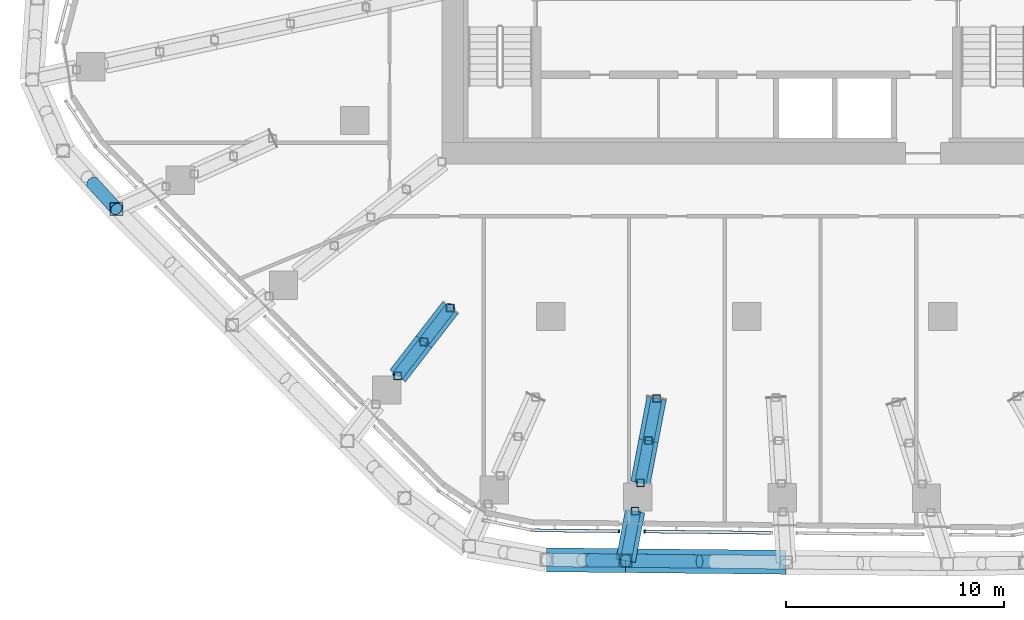
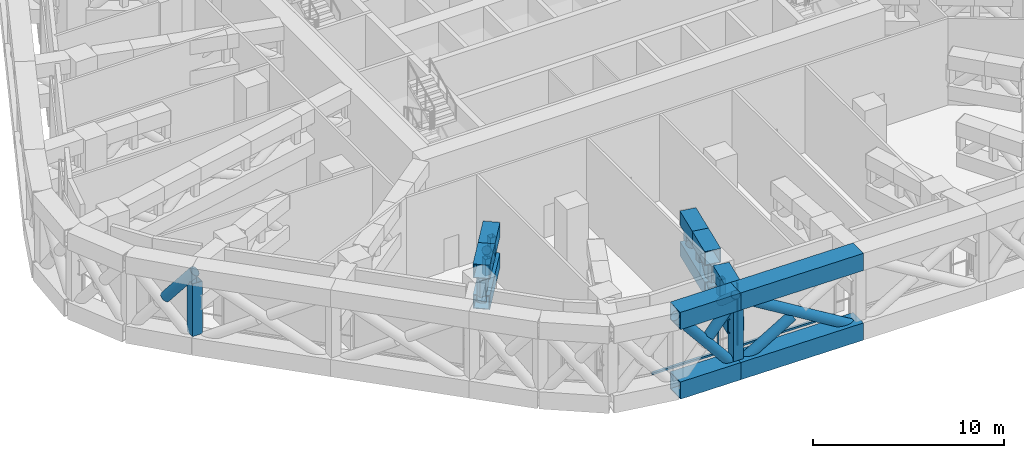
# One storey, part 3 of 30: 35 members, 1 element without a shape of its own.
"""IFC4 building model written with IfcOpenShell, lengths in metres."""

from ifc_helpers import new_model, si_unit, direction, frame, origin, origin_2d, place, context, subcontext, project, spatial, rectangle, hollow_rectangle, hollow_circle, extrude, material, layer, layer_set, material_profile, profile_set, type_object, element, aggregate, save


model = new_model("IFC4")

# Units and contexts
model_context = context("Model", 3, precision=1e-05, world=origin(), true_north=direction((0.0, 1.0)))
body_context = subcontext(model_context, "Body", "Model", "MODEL_VIEW")
ifc_project = project(units=[si_unit("LENGTHUNIT", "METRE"), si_unit("AREAUNIT", "SQUARE_METRE"), si_unit("VOLUMEUNIT", "CUBIC_METRE"), si_unit("PLANEANGLEUNIT", "RADIAN"), si_unit("MASSUNIT", "GRAM", prefix="KILO")], contexts=[model_context])

# Site, building, storey
site_placement = place(None, origin())
site = spatial("IfcSite", under=ifc_project, at=site_placement, CompositionType="ELEMENT")
building_placement = place(site_placement, origin())
building = spatial("IfcBuilding", under=site, at=building_placement, Name="Dongbaek Canopy Tower", CompositionType="ELEMENT")
storey_placement = place(building_placement, frame((0.0, 0.0, 145.60009765625)))
storey = spatial("IfcBuildingStorey", under=building, at=storey_placement, Name="L32", CompositionType="ELEMENT", Elevation=145.60009765625)

# Members
ifc_material_1 = material(Name="Steel S355", Category="steel")
ifc_material_profile_1 = material_profile(ifc_material_1, hollow_circle(Radius=0.304931640625, WallThickness=0.01611328125, at=origin_2d()), Name="BELT BRACE CHS 610.0x16.0 Steel S355")
ifc_profile_set_1 = profile_set([ifc_material_profile_1], Name="Steel S355")
member_type_1 = type_object("IfcMemberType", Name="BELT BRACE CHS 610.0x16.0 Steel S355", PredefinedType="BRACE", material=ifc_profile_set_1)
member_1_placement = place(storey_placement, frame((1.81298828125, -29.289794921875, 0.5498046875), z_axis=(-0.855976516587, 0.008904900978, 0.51693800962), x_axis=(-0.010402644197, -0.999945891033, 0.0)))
element("IfcMember", 1, at=member_1_placement, inside=storey, type_object=member_type_1, Name="BELT:L32:2:D0:0", PredefinedType="BRACE", context=body_context, shape_type="SweptSolid", body=[
    extrude(hollow_circle(Radius=0.304931640625, WallThickness=0.01611328125, at=origin_2d()), origin(), (0.0, 0.0, 1.0), 8.608642578125),
])
member_2_placement = place(storey_placement, frame((-5.555908203125, -29.213134765625, 0.5498046875), z_axis=(0.855953531196, -0.008939945403, 0.51697546345), x_axis=(0.010443858813, 0.999945461419, 0.0)))
element("IfcMember", 2, at=member_2_placement, inside=storey, type_object=member_type_1, Name="BELT:L32:2:D0:1", PredefinedType="BRACE", context=body_context, shape_type="SweptSolid", body=[
    extrude(hollow_circle(Radius=0.304931640625, WallThickness=0.01611328125, at=origin_2d()), origin(), (0.0, 0.0, 1.0), 3.959716796875),
])
member_3_placement = place(storey_placement, frame((-5.555908203125, -29.213134765625, 0.5498046875), z_axis=(-0.632413949644, 0.006544264766, 0.77460297501), x_axis=(-0.010347517491, -0.999946463008, 0.0)))
element("IfcMember", 3, at=member_3_placement, inside=storey, type_object=member_type_1, Name="BELT:L32:3:D0:0", PredefinedType="BRACE", context=body_context, shape_type="SweptSolid", body=[
    extrude(hollow_circle(Radius=0.304931640625, WallThickness=0.01611328125, at=origin_2d()), origin(), (0.0, 0.0, 1.0), 5.7451171875),
])
member_4_placement = place(storey_placement, frame((-5.555908203125, -29.213134765625, 5.0), z_axis=(-0.632450361627, 0.00657710248, -0.774572967383), x_axis=(-0.010398834848, -0.999945930655, 0.0)))
element("IfcMember", 4, at=member_4_placement, inside=storey, type_object=member_type_1, Name="BELT:L32:3:D0:2", PredefinedType="BRACE", context=body_context, shape_type="SweptSolid", body=[
    extrude(hollow_circle(Radius=0.304931640625, WallThickness=0.01611328125, at=origin_2d()), origin(), (0.0, 0.0, 1.0), 2.561279296875),
])
member_5_placement = place(storey_placement, frame((-28.94580078125, -13.06298828125, 5.0), z_axis=(-0.426003520055, 0.466457157794, -0.775202374121), x_axis=(-0.738400473591, -0.674362469745, 0.0)))
element("IfcMember", 5, at=member_5_placement, inside=storey, type_object=member_type_1, Name="BELT:L32:7:D0:2", PredefinedType="BRACE", context=body_context, shape_type="SweptSolid", body=[
    extrude(hollow_circle(Radius=0.304931640625, WallThickness=0.01611328125, at=origin_2d()), origin(), (0.0, 0.0, 1.0), 2.558837890625),
])
ifc_material_2 = material(Name="Steel S355", Category="steel")
ifc_material_profile_2 = material_profile(ifc_material_2, hollow_rectangle(XDim=1.10009765625, YDim=1.10009765625, WallThickness=0.054931640625, at=origin_2d()), Name="BELT CHORD BOX 1100x1100x55 Steel S355")
ifc_profile_set_2 = profile_set([ifc_material_profile_2], Name="Steel S355")
member_type_2 = type_object("IfcMemberType", Name="BELT CHORD BOX 1100x1100x55 Steel S355", PredefinedType="CHORD", material=ifc_profile_set_2)
for number, where, z_axis, x_axis, name in (
    (6, (1.81298828125, -29.289794921875, 0.5498046875), (-0.999945891033, 0.010402644197, 0.0), (-0.010402644197, -0.999945891033, 0.0), "BELT:L32:2:CB0"),
    (7, (1.81298828125, -29.289794921875, 5.0), (-0.999945891033, 0.010402644197, 0.0), (-0.010402644197, -0.999945891033, 0.0), "BELT:L32:2:CT0"),
):
    element("IfcMember", number, at=place(storey_placement, frame(where, z_axis=z_axis, x_axis=x_axis)), inside=storey, type_object=member_type_2, Name=name, PredefinedType="CHORD", context=body_context, shape_type="SweptSolid", body=[
        extrude(hollow_rectangle(XDim=1.10009765625, YDim=1.10009765625, WallThickness=0.054931640625, at=origin_2d()), origin(), (0.0, 0.0, 1.0), 7.369384765625),
    ])
for number, where, z_axis, x_axis, name in (
    (8, (-5.555908203125, -29.213134765625, 0.5498046875), (-0.999946463008, 0.010347517491, 0.0), (-0.010347517491, -0.999946463008, 0.0), "BELT:L32:3:CB0"),
    (9, (-5.555908203125, -29.213134765625, 5.0), (-0.999946463008, 0.010347517491, 0.0), (-0.010347517491, -0.999946463008, 0.0), "BELT:L32:3:CT0"),
):
    element("IfcMember", number, at=place(storey_placement, frame(where, z_axis=z_axis, x_axis=x_axis)), inside=storey, type_object=member_type_2, Name=name, PredefinedType="CHORD", context=body_context, shape_type="SweptSolid", body=[
        extrude(hollow_rectangle(XDim=1.10009765625, YDim=1.10009765625, WallThickness=0.054931640625, at=origin_2d()), origin(), (0.0, 0.0, 1.0), 3.633544921875),
    ])
ifc_material_3 = material(Name="Steel S355", Category="steel")
ifc_material_profile_3 = material_profile(ifc_material_3, hollow_rectangle(XDim=0.60009765625, YDim=0.60009765625, WallThickness=0.031982421875, at=origin_2d()), Name="BELT POST BOX 600x600x32 Steel S355")
ifc_profile_set_3 = profile_set([ifc_material_profile_3], Name="Steel S355")
member_type_3 = type_object("IfcMemberType", Name="BELT POST BOX 600x600x32 Steel S355", PredefinedType="POST", material=ifc_profile_set_3)
for number, where, z_axis, x_axis, name in (
    (10, (-5.555908203125, -29.213134765625, 1.099853515625), (0.0, 0.0, 1.0), (1.0, 0.0, 0.0), "BELT:L32:3:P0"),
    (11, (-28.94580078125, -13.06298828125, 1.099853515625), (0.0, 0.0, 1.0), (1.0, 0.0, 0.0), "BELT:L32:7:P0"),
):
    element("IfcMember", number, at=place(storey_placement, frame(where, z_axis=z_axis, x_axis=x_axis)), inside=storey, type_object=member_type_3, Name=name, PredefinedType="POST", context=body_context, shape_type="SweptSolid", body=[
        extrude(hollow_rectangle(XDim=0.60009765625, YDim=0.60009765625, WallThickness=0.031982421875, at=origin_2d()), origin(), (0.0, 0.0, 1.0), 3.35009765625),
    ])
ifc_material_4 = material(Name="Steel S355", Category="steel")
ifc_material_profile_4 = material_profile(ifc_material_4, hollow_circle(Radius=0.25390625, WallThickness=0.01611328125, at=origin_2d()), Name="BRACE CHS 508.0x16.0 Steel S355")
ifc_profile_set_4 = profile_set([ifc_material_profile_4], Name="Steel S355")
member_type_4 = type_object("IfcMemberType", Name="BRACE CHS 508.0x16.0 Steel S355", PredefinedType="BRACE", material=ifc_profile_set_4)
for number, where, z_axis, x_axis, name in (
    (12, (-4.138427734375, -21.759521484375, 3.14990234375), (-0.132917641286, -0.699071141829, 0.702589808706), (0.982400187309, -0.186788307918, 0.0), "TRUSS:L32:3:D0"),
    (13, (-4.50732421875, -23.69970703125, 5.099853515625), (-0.133004052327, -0.699062965502, -0.702581591225), (0.982377496395, -0.186907609733, 0.0), "TRUSS:L32:3:D1"),
):
    element("IfcMember", number, at=place(storey_placement, frame(where, z_axis=z_axis, x_axis=x_axis)), inside=storey, type_object=member_type_4, Name=name, PredefinedType="BRACE", context=body_context, shape_type="SweptSolid", body=[
        extrude(hollow_circle(Radius=0.25390625, WallThickness=0.01611328125, at=origin_2d()), origin(), (0.0, 0.0, 1.0), 2.775390625),
    ])
member_6_placement = place(storey_placement, frame((-13.61376953125, -17.602294921875, 3.14990234375), z_axis=(-0.435322349841, -0.562954746208, 0.702549930931), x_axis=(0.791072922224, -0.611721858138, 0.0)))
element("IfcMember", 14, at=member_6_placement, inside=storey, type_object=member_type_4, Name="TRUSS:L32:5:D0", PredefinedType="BRACE", context=body_context, shape_type="SweptSolid", body=[
    extrude(hollow_circle(Radius=0.25390625, WallThickness=0.01611328125, at=origin_2d()), origin(), (0.0, 0.0, 1.0), 2.775634765625),
])
member_7_placement = place(storey_placement, frame((-14.822021484375, -19.164794921875, 5.099853515625), z_axis=(-0.435343906243, -0.562894656709, -0.702584719977), x_axis=(0.791026661945, -0.611781676819, 0.0)))
element("IfcMember", 15, at=member_7_placement, inside=storey, type_object=member_type_4, Name="TRUSS:L32:5:D1", PredefinedType="BRACE", context=body_context, shape_type="SweptSolid", body=[
    extrude(hollow_circle(Radius=0.25390625, WallThickness=0.01611328125, at=origin_2d()), origin(), (0.0, 0.0, 1.0), 2.775390625),
])
member_8_placement = place(storey_placement, frame((-5.12353515625, -26.93994140625, 3.14990234375), z_axis=(-0.142886096648, -0.751221030994, 0.644399352868), x_axis=(0.982387477569, -0.186855141529, 0.0)))
element("IfcMember", 16, at=member_8_placement, inside=storey, type_object=member_type_4, Name="TRUSS:L32:3x:D0", PredefinedType="BRACE", context=body_context, shape_type="SweptSolid", body=[
    extrude(hollow_circle(Radius=0.25390625, WallThickness=0.01611328125, at=origin_2d()), origin(), (0.0, 0.0, 1.0), 3.02587890625),
])
ifc_material_5 = material(Name="Steel S355", Category="steel")
ifc_material_profile_5 = material_profile(ifc_material_5, hollow_rectangle(XDim=0.89990234375, YDim=0.89990234375, WallThickness=0.044921875, at=origin_2d()), Name="CHORD BOX 900x900x45 Steel S355")
ifc_profile_set_5 = profile_set([ifc_material_profile_5], Name="Steel S355")
member_type_5 = type_object("IfcMemberType", Name="CHORD BOX 900x900x45 Steel S355", PredefinedType="CHORD", material=ifc_profile_set_5)
member_9_placement = place(storey_placement, frame((-4.138427734375, -21.759521484375, 3.14990234375), z_axis=(-0.186847959859, -0.982388843532, 0.0), x_axis=(0.982388843532, -0.186847959859, 0.0)))
element("IfcMember", 17, at=member_9_placement, inside=storey, type_object=member_type_5, Name="TRUSS:L32:3:CB", PredefinedType="CHORD", context=body_context, shape_type="SweptSolid", body=[
    extrude(hollow_rectangle(XDim=0.89990234375, YDim=0.89990234375, WallThickness=0.044921875, at=origin_2d()), origin(), (0.0, 0.0, 1.0), 3.949951171875),
])
member_10_placement = place(storey_placement, frame((-4.138427734375, -21.759521484375, 5.099853515625), z_axis=(-0.186788307918, -0.982400187309, 0.0), x_axis=(0.982400187309, -0.186788307918, 0.0)))
element("IfcMember", 18, at=member_10_placement, inside=storey, type_object=member_type_5, Name="TRUSS:L32:3:CT0", PredefinedType="CHORD", context=body_context, shape_type="SweptSolid", body=[
    extrude(hollow_rectangle(XDim=0.89990234375, YDim=0.89990234375, WallThickness=0.044921875, at=origin_2d()), origin(), (0.0, 0.0, 1.0), 1.974853515625),
])
member_11_placement = place(storey_placement, frame((-4.50732421875, -23.69970703125, 5.099853515625), z_axis=(-0.186907609733, -0.982377496395, 0.0), x_axis=(0.982377496395, -0.186907609733, 0.0)))
element("IfcMember", 19, at=member_11_placement, inside=storey, type_object=member_type_5, Name="TRUSS:L32:3:CT1", PredefinedType="CHORD", context=body_context, shape_type="SweptSolid", body=[
    extrude(hollow_rectangle(XDim=0.89990234375, YDim=0.89990234375, WallThickness=0.044921875, at=origin_2d()), origin(), (0.0, 0.0, 1.0), 1.97509765625),
])
member_12_placement = place(storey_placement, frame((-13.61376953125, -17.602294921875, 3.14990234375), z_axis=(-0.611751766454, -0.791049793781, 0.0), x_axis=(0.791049793781, -0.611751766454, 0.0)))
element("IfcMember", 20, at=member_12_placement, inside=storey, type_object=member_type_5, Name="TRUSS:L32:5:CB", PredefinedType="CHORD", context=body_context, shape_type="SweptSolid", body=[
    extrude(hollow_rectangle(XDim=0.89990234375, YDim=0.89990234375, WallThickness=0.044921875, at=origin_2d()), origin(), (0.0, 0.0, 1.0), 3.9501953125),
])
member_13_placement = place(storey_placement, frame((-13.61376953125, -17.602294921875, 5.099853515625), z_axis=(-0.611721858138, -0.791072922224, 0.0), x_axis=(0.791072922224, -0.611721858138, 0.0)))
element("IfcMember", 21, at=member_13_placement, inside=storey, type_object=member_type_5, Name="TRUSS:L32:5:CT0", PredefinedType="CHORD", context=body_context, shape_type="SweptSolid", body=[
    extrude(hollow_rectangle(XDim=0.89990234375, YDim=0.89990234375, WallThickness=0.044921875, at=origin_2d()), origin(), (0.0, 0.0, 1.0), 1.97509765625),
])
member_14_placement = place(storey_placement, frame((-14.822021484375, -19.164794921875, 5.099853515625), z_axis=(-0.611781676819, -0.791026661945, 0.0), x_axis=(0.791026661945, -0.611781676819, 0.0)))
element("IfcMember", 22, at=member_14_placement, inside=storey, type_object=member_type_5, Name="TRUSS:L32:5:CT1", PredefinedType="CHORD", context=body_context, shape_type="SweptSolid", body=[
    extrude(hollow_rectangle(XDim=0.89990234375, YDim=0.89990234375, WallThickness=0.044921875, at=origin_2d()), origin(), (0.0, 0.0, 1.0), 1.974853515625),
])
for number, where, z_axis, x_axis, name in (
    (23, (-5.12353515625, -26.93994140625, 3.14990234375), (-0.186855141529, -0.982387477569, 0.0), (0.982387477569, -0.186855141529, 0.0), "TRUSS:L32:3x:CB"),
    (24, (-5.12353515625, -26.93994140625, 5.099853515625), (-0.186855141529, -0.982387477569, 0.0), (0.982387477569, -0.186855141529, 0.0), "TRUSS:L32:3x:CT0"),
):
    element("IfcMember", number, at=place(storey_placement, frame(where, z_axis=z_axis, x_axis=x_axis)), inside=storey, type_object=member_type_5, Name=name, PredefinedType="CHORD", context=body_context, shape_type="SweptSolid", body=[
        extrude(hollow_rectangle(XDim=0.89990234375, YDim=0.89990234375, WallThickness=0.044921875, at=origin_2d()), origin(), (0.0, 0.0, 1.0), 2.31396484375),
    ])

# Curtain wall, members
ifc_material_6 = material(Name="Aluminium 6063-T6 pale anodised", Category="aluminium")
ifc_layer = layer(ifc_material_6, 0.14990234375)
ifc_layer_set = layer_set([ifc_layer], Name="CW-7 louvre curtain wall")
curtain_wall_type = type_object("IfcCurtainWallType", Name="CW-7 louvre curtain wall", PredefinedType="NOTDEFINED", material=ifc_layer_set)
curtain_wall_placement = place(storey_placement, origin())
curtain_wall = element("IfcCurtainWall", 25, at=curtain_wall_placement, inside=storey, type_object=curtain_wall_type, Name="CW-7 louvre wall L32 F4", PredefinedType="NOTDEFINED")
ifc_material_7 = material(Name="Aluminium 6063-T6 pale anodised", Category="aluminium")
ifc_material_profile_6 = material_profile(ifc_material_7, rectangle(XDim=0.14990234375, YDim=0.080078125, at=origin_2d()), Name="CW-7 mullion 80 x 150")
ifc_profile_set_6 = profile_set([ifc_material_profile_6], Name="Aluminium 6063-T6 pale anodised")
member_type_6 = type_object("IfcMemberType", Name="CW-7 mullion 80 x 150", PredefinedType="MULLION", material=ifc_profile_set_6)
member_15_placement = place(storey_placement, frame((-5.86328125, -27.85986328125, 0.77490234375), z_axis=(0.0, 0.0, 1.0), x_axis=(-0.010400936107, -0.999945908801, 0.0)))
member_15 = element("IfcMember", 26, at=member_15_placement, type_object=member_type_6, Name="CW-7 mullion L32 F4.1.2", PredefinedType="MULLION", context=body_context, shape_type="SweptSolid", body=[
    extrude(rectangle(XDim=0.14990234375, YDim=0.080078125, at=origin_2d()), origin(), (0.0, 0.0, 1.0), 4.0),
])
member_16_placement = place(storey_placement, frame((-4.687255859375, -27.872314453125, 0.77490234375), z_axis=(0.0, 0.0, 1.0), x_axis=(-0.010400936107, -0.999945908801, 0.0)))
member_16 = element("IfcMember", 27, at=member_16_placement, type_object=member_type_6, Name="CW-7 mullion L32 F4.2.1", PredefinedType="MULLION", context=body_context, shape_type="SweptSolid", body=[
    extrude(rectangle(XDim=0.14990234375, YDim=0.080078125, at=origin_2d()), origin(), (0.0, 0.0, 1.0), 4.0),
])
ifc_material_8 = material(Name="Aluminium 6063-T6 pale anodised", Category="aluminium")
ifc_material_profile_7 = material_profile(ifc_material_8, rectangle(XDim=0.14990234375, YDim=0.1201171875, at=origin_2d()), Name="CW-7 transom 120 x 150")
ifc_profile_set_7 = profile_set([ifc_material_profile_7], Name="Aluminium 6063-T6 pale anodised")
member_type_7 = type_object("IfcMemberType", Name="CW-7 transom 120 x 150", PredefinedType="USERDEFINED", material=ifc_profile_set_7)
member_17_placement = place(storey_placement, frame((-9.800537109375, -27.819091796875, 0.71484375), z_axis=(0.999946388143, -0.010354749601, 0.0), x_axis=(0.010354749601, 0.999946388143, 0.0)))
member_17 = element("IfcMember", 28, at=member_17_placement, type_object=member_type_7, Name="CW-7 transom L32 F4.1", ObjectType="TRANSOM", PredefinedType="USERDEFINED", context=body_context, shape_type="SweptSolid", body=[
    extrude(rectangle(XDim=0.14990234375, YDim=0.1201171875, at=origin_2d()), origin(), (0.0, 0.0, 1.0), 3.9375),
])
member_18_placement = place(storey_placement, frame((-4.687255859375, -27.872314453125, 0.71484375), z_axis=(0.999946280189, -0.010365169383, 0.0), x_axis=(0.010365169383, 0.999946280189, 0.0)))
member_18 = element("IfcMember", 29, at=member_18_placement, type_object=member_type_7, Name="CW-7 transom L32 F4.2", ObjectType="TRANSOM", PredefinedType="USERDEFINED", context=body_context, shape_type="SweptSolid", body=[
    extrude(rectangle(XDim=0.14990234375, YDim=0.1201171875, at=origin_2d()), origin(), (0.0, 0.0, 1.0), 5.84130859375),
])
aggregate(curtain_wall, [member_17, member_15, member_18, member_16])

# Members
ifc_material_9 = material(Name="Steel S355", Category="steel")
ifc_material_profile_8 = material_profile(ifc_material_9, hollow_rectangle(XDim=0.35009765625, YDim=0.35009765625, WallThickness=0.01611328125, at=origin_2d()), Name="POST SHS 350x350x16 Steel S355")
ifc_profile_set_8 = profile_set([ifc_material_profile_8], Name="Steel S355")
member_type_8 = type_object("IfcMemberType", Name="POST SHS 350x350x16 Steel S355", PredefinedType="POST", material=ifc_profile_set_8)
for number, where, z_axis, x_axis, name in (
    (30, (-4.138427734375, -21.759521484375, 3.599853515625), (0.0, 0.0, 1.0), (1.0, 0.0, 0.0), "TRUSS:L32:3:P0"),
    (31, (-4.50732421875, -23.69970703125, 3.599853515625), (0.0, 0.0, 1.0), (1.0, 0.0, 0.0), "TRUSS:L32:3:P1"),
    (32, (-4.87646484375, -25.639892578125, 3.599853515625), (0.0, 0.0, 1.0), (1.0, 0.0, 0.0), "TRUSS:L32:3:P2"),
    (33, (-13.61376953125, -17.602294921875, 3.599853515625), (0.0, 0.0, 1.0), (1.0, 0.0, 0.0), "TRUSS:L32:5:P0"),
    (34, (-14.822021484375, -19.164794921875, 3.599853515625), (0.0, 0.0, 1.0), (1.0, 0.0, 0.0), "TRUSS:L32:5:P1"),
    (35, (-16.0302734375, -20.72705078125, 3.599853515625), (0.0, 0.0, 1.0), (1.0, 0.0, 0.0), "TRUSS:L32:5:P2"),
    (36, (-5.12353515625, -26.93994140625, 3.599853515625), (0.0, 0.0, 1.0), (1.0, 0.0, 0.0), "TRUSS:L32:3x:P0"),
):
    element("IfcMember", number, at=place(storey_placement, frame(where, z_axis=z_axis, x_axis=x_axis)), inside=storey, type_object=member_type_8, Name=name, PredefinedType="POST", context=body_context, shape_type="SweptSolid", body=[
        extrude(hollow_rectangle(XDim=0.35009765625, YDim=0.35009765625, WallThickness=0.01611328125, at=origin_2d()), origin(), (0.0, 0.0, 1.0), 1.050048828125),
    ])

save(model, "model.ifc")
